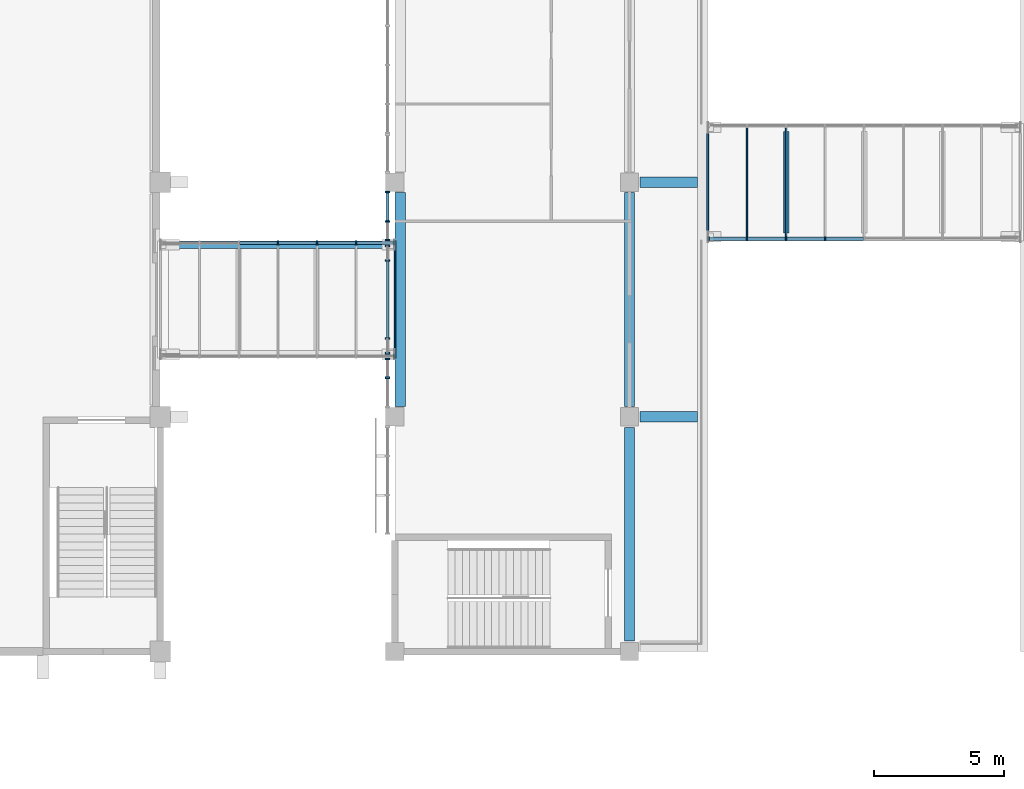
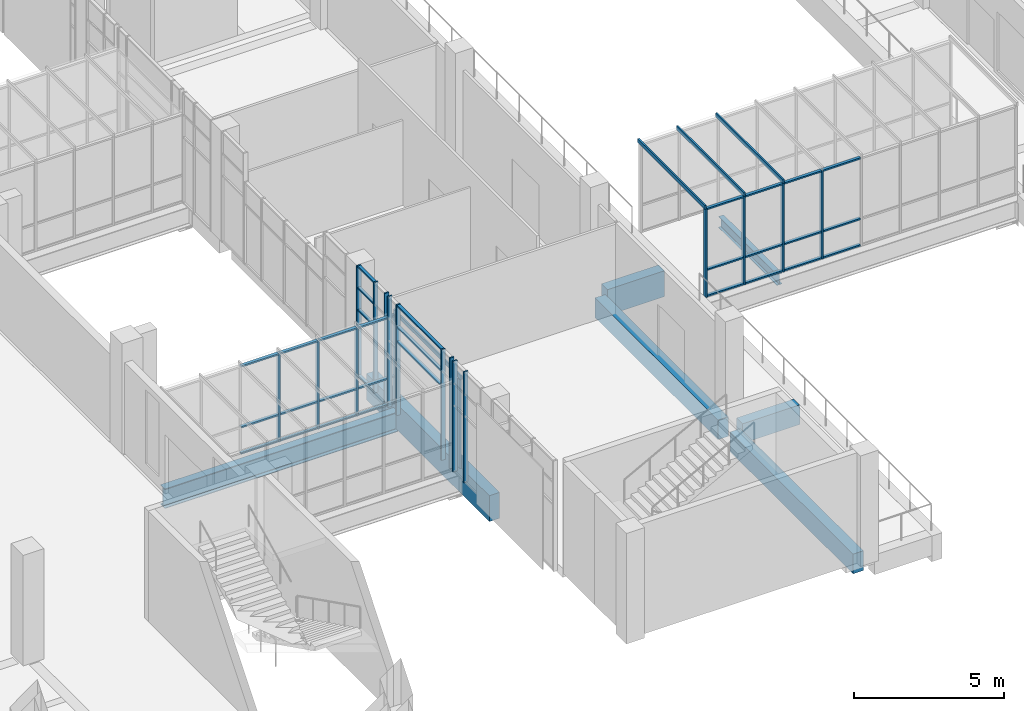
# One storey, part 10 of 106: 53 members, 7 beams, 8 elements without a shape of their own.
"""IFC4 building model written with IfcOpenShell, lengths in metres."""

from ifc_helpers import new_model, si_unit, direction, frame, origin, origin_2d, place, context, subcontext, project, spatial, rectangle, i_section, extrude, material, layer, layer_set, material_profile, profile_set, type_object, element, aggregate, save


model = new_model("IFC4")

# Units and contexts
model_context = context("Model", 3, precision=1e-05, world=origin(), true_north=direction((0.0, 1.0)))
body_context = subcontext(model_context, "Body", "Model", "MODEL_VIEW")
ifc_project = project(units=[si_unit("LENGTHUNIT", "METRE"), si_unit("AREAUNIT", "SQUARE_METRE"), si_unit("VOLUMEUNIT", "CUBIC_METRE"), si_unit("PLANEANGLEUNIT", "RADIAN"), si_unit("MASSUNIT", "GRAM", prefix="KILO")], contexts=[model_context])

# Site, building, storey
site_placement = place(None, origin())
site = spatial("IfcSite", under=ifc_project, at=site_placement, CompositionType="ELEMENT")
building_placement = place(site_placement, origin())
building = spatial("IfcBuilding", under=site, at=building_placement, Name="Guidao Yard Department Store", CompositionType="ELEMENT")
storey_placement = place(building_placement, frame((0.0, 0.0, 10.5)))
storey = spatial("IfcBuildingStorey", under=building, at=storey_placement, Name="L02", CompositionType="ELEMENT", Elevation=10.5)

# Beams
ifc_material_1 = material(Name="Concrete C40", Category="concrete")
ifc_material_profile_1 = material_profile(ifc_material_1, rectangle(XDim=0.39990234375, YDim=1.050048828125, at=origin_2d()), Name="Bridge landing beam 400 x 1050 C40")
ifc_profile_set_1 = profile_set([ifc_material_profile_1], Name="Concrete C40")
beam_type_1 = type_object("IfcBeamType", Name="Bridge landing beam 400 x 1050 C40", PredefinedType="BEAM", material=ifc_profile_set_1)
beam_1_placement = place(storey_placement, frame((72.199951171875, 54.39990234375, -0.52490234375), z_axis=(0.0, 1.0, 0.0), x_axis=(-1.0, 0.0, 0.0)))
element("IfcBeam", 1, at=beam_1_placement, inside=storey, type_object=beam_type_1, Name="Beam LB03", PredefinedType="BEAM", context=body_context, shape_type="SweptSolid", body=[
    extrude(rectangle(XDim=0.39990234375, YDim=1.050048828125, at=origin_2d()), origin(), (0.0, 0.0, 1.0), 8.2001953125),
])
beam_2_placement = place(storey_placement, frame((81.39990234375, 63.0, -0.52490234375), z_axis=(1.0, 0.0, 0.0), x_axis=(0.0, 1.0, 0.0)))
element("IfcBeam", 2, at=beam_2_placement, inside=storey, type_object=beam_type_1, Name="Beam LB05", PredefinedType="BEAM", context=body_context, shape_type="SweptSolid", body=[
    extrude(rectangle(XDim=0.39990234375, YDim=1.050048828125, at=origin_2d()), origin(), (0.0, 0.0, 1.0), 2.2001953125),
])
ifc_material_2 = material(Name="Concrete C40", Category="concrete")
ifc_material_profile_2 = material_profile(ifc_material_2, rectangle(XDim=0.39990234375, YDim=0.800048828125, at=origin_2d()), Name="Edge beam 400 x 800 C40")
ifc_profile_set_2 = profile_set([ifc_material_profile_2], Name="Concrete C40")
beam_type_2 = type_object("IfcBeamType", Name="Edge beam 400 x 800 C40", PredefinedType="BEAM", material=ifc_profile_set_2)
for number, where, z_axis, x_axis, name in (
    (3, (81.0, 45.39990234375, -0.39990234375), (0.0, 1.0, 0.0), (-1.0, 0.0, 0.0), "Beam EB32"),
    (4, (81.0, 54.39990234375, -0.39990234375), (0.0, 1.0, 0.0), (-1.0, 0.0, 0.0), "Beam EB33"),
):
    element("IfcBeam", number, at=place(storey_placement, frame(where, z_axis=z_axis, x_axis=x_axis)), inside=storey, type_object=beam_type_2, Name=name, PredefinedType="BEAM", context=body_context, shape_type="SweptSolid", body=[
        extrude(rectangle(XDim=0.39990234375, YDim=0.800048828125, at=origin_2d()), origin(), (0.0, 0.0, 1.0), 8.2001953125),
    ])
beam_3_placement = place(storey_placement, frame((81.39990234375, 54.0, -0.39990234375), z_axis=(1.0, 0.0, 0.0), x_axis=(0.0, 1.0, 0.0)))
element("IfcBeam", 5, at=beam_3_placement, inside=storey, type_object=beam_type_2, Name="Beam EB40", PredefinedType="BEAM", context=body_context, shape_type="SweptSolid", body=[
    extrude(rectangle(XDim=0.39990234375, YDim=0.800048828125, at=origin_2d()), origin(), (0.0, 0.0, 1.0), 2.2001953125),
])
ifc_material_3 = material(Name="Steel Q355B", Category="steel")
ifc_material_profile_3 = material_profile(ifc_material_3, i_section(OverallWidth=0.199951171875, OverallDepth=0.449951171875, WebThickness=0.009033203125, FlangeThickness=0.013916015625, FilletRadius=0.012939453125, at=origin_2d()), Name="HN 450x200x9x14")
ifc_profile_set_3 = profile_set([ifc_material_profile_3], Name="Steel Q355B")
beam_type_3 = type_object("IfcBeamType", Name="HN 450x200x9x14", PredefinedType="BEAM", material=ifc_profile_set_3)
beam_4_placement = place(storey_placement, frame((87.007568359375, 61.050048828125, -0.47509765625), z_axis=(0.0, 1.0, 0.0), x_axis=(-1.0, 0.0, 0.0)))
element("IfcBeam", 6, at=beam_4_placement, inside=storey, type_object=beam_type_3, Name="Bridge cross beam BR11-1", PredefinedType="BEAM", context=body_context, shape_type="SweptSolid", body=[
    extrude(i_section(OverallWidth=0.199951171875, OverallDepth=0.449951171875, WebThickness=0.009033203125, FlangeThickness=0.013916015625, FilletRadius=0.012939453125, at=origin_2d()), origin(), (0.0, 0.0, 1.0), 3.89990234375),
])
ifc_material_4 = material(Name="Steel Q355B", Category="steel")
ifc_material_profile_4 = material_profile(ifc_material_4, i_section(OverallWidth=0.300048828125, OverallDepth=0.800048828125, WebThickness=0.013916015625, FlangeThickness=0.02587890625, FilletRadius=0.01806640625, at=origin_2d()), Name="HN 800x300x14x26")
ifc_profile_set_4 = profile_set([ifc_material_profile_4], Name="Steel Q355B")
beam_type_4 = type_object("IfcBeamType", Name="HN 800x300x14x26", PredefinedType="BEAM", material=ifc_profile_set_4)
beam_5_placement = place(storey_placement, frame((63.014892578125, 60.60009765625, -0.64990234375), z_axis=(1.0, 0.0, 0.0), x_axis=(0.0, 1.0, 0.0)))
element("IfcBeam", 7, at=beam_5_placement, inside=storey, type_object=beam_type_4, Name="Bridge girder BR03N", PredefinedType="BEAM", context=body_context, shape_type="SweptSolid", body=[
    extrude(i_section(OverallWidth=0.300048828125, OverallDepth=0.800048828125, WebThickness=0.013916015625, FlangeThickness=0.02587890625, FilletRadius=0.01806640625, at=origin_2d()), origin(), (0.0, 0.0, 1.0), 8.97021484375),
])

# Curtain wall, members
ifc_material_5 = material(Name="Aluminium and glass", Category="aluminium")
ifc_layer_1 = layer(ifc_material_5, 0.159912109375)
ifc_layer_set_1 = layer_set([ifc_layer_1], Name="Shopfront curtain wall CW1 1500 module")
curtain_wall_type_1 = type_object("IfcCurtainWallType", Name="Shopfront curtain wall CW1 1500 module", PredefinedType="NOTDEFINED", material=ifc_layer_set_1)
curtain_wall_1_placement = place(storey_placement, origin())
curtain_wall_1 = element("IfcCurtainWall", 8, at=curtain_wall_1_placement, inside=storey, type_object=curtain_wall_type_1, Name="Arcade shop front", PredefinedType="NOTDEFINED")
ifc_material_6 = material(Name="Aluminium 6063-T5", Category="aluminium")
ifc_material_profile_5 = material_profile(ifc_material_6, rectangle(XDim=0.06005859375, YDim=0.159912109375, at=origin_2d()), Name="Mullion M1 60 x 160 aluminium pressure plate")
ifc_profile_set_5 = profile_set([ifc_material_profile_5], Name="Aluminium 6063-T5")
member_type_1 = type_object("IfcMemberType", Name="Mullion M1 60 x 160 aluminium pressure plate", PredefinedType="MULLION", material=ifc_profile_set_5)
member_1_placement = place(storey_placement, frame((71.719970703125, 55.5, 0.0), z_axis=(0.0, 0.0, 1.0), x_axis=(0.0, 1.0, 0.0)))
member_1 = element("IfcMember", 9, at=member_1_placement, type_object=member_type_1, Name="CW-AS-L02-02 mullion 2", PredefinedType="MULLION", context=body_context, shape_type="SweptSolid", body=[
    extrude(rectangle(XDim=0.06005859375, YDim=0.159912109375, at=origin_2d()), origin(), (0.0, 0.0, 1.0), 4.5),
])
member_2_placement = place(storey_placement, frame((71.719970703125, 56.219970703125, 0.0), z_axis=(0.0, 0.0, 1.0), x_axis=(0.0, 1.0, 0.0)))
member_2 = element("IfcMember", 10, at=member_2_placement, type_object=member_type_1, Name="CW-AS-L02-02 mullion 3", PredefinedType="MULLION", context=body_context, shape_type="SweptSolid", body=[
    extrude(rectangle(XDim=0.06005859375, YDim=0.159912109375, at=origin_2d()), origin(), (0.0, 0.0, 1.0), 4.5),
])
aggregate(curtain_wall_1, [member_1, member_2])

curtain_wall_2_placement = place(storey_placement, origin())
curtain_wall_2 = element("IfcCurtainWall", 11, at=curtain_wall_2_placement, inside=storey, type_object=curtain_wall_type_1, Name="Arcade shop front", PredefinedType="NOTDEFINED")
member_3_placement = place(storey_placement, frame((71.719970703125, 56.43994140625, 0.0), z_axis=(0.0, 0.0, 1.0), x_axis=(0.0, 1.0, 0.0)))
member_3 = element("IfcMember", 12, at=member_3_placement, type_object=member_type_1, Name="CW-AS-L02-03 mullion 1", PredefinedType="MULLION", context=body_context, shape_type="SweptSolid", body=[
    extrude(rectangle(XDim=0.06005859375, YDim=0.159912109375, at=origin_2d()), origin(), (0.0, 0.0, 1.0), 4.5),
])
member_4_placement = place(storey_placement, frame((71.719970703125, 57.0, 0.0), z_axis=(0.0, 0.0, 1.0), x_axis=(0.0, 1.0, 0.0)))
member_4 = element("IfcMember", 13, at=member_4_placement, type_object=member_type_1, Name="CW-AS-L02-03 mullion 2", PredefinedType="MULLION", context=body_context, shape_type="SweptSolid", body=[
    extrude(rectangle(XDim=0.06005859375, YDim=0.159912109375, at=origin_2d()), origin(), (0.0, 0.0, 1.0), 4.5),
])
member_5_placement = place(storey_placement, frame((71.719970703125, 60.0, 0.0), z_axis=(0.0, 0.0, 1.0), x_axis=(0.0, 1.0, 0.0)))
member_5 = element("IfcMember", 14, at=member_5_placement, type_object=member_type_1, Name="CW-AS-L02-03 mullion 3", PredefinedType="MULLION", context=body_context, shape_type="SweptSolid", body=[
    extrude(rectangle(XDim=0.06005859375, YDim=0.159912109375, at=origin_2d()), origin(), (0.0, 0.0, 1.0), 4.5),
])
member_6_placement = place(storey_placement, frame((71.719970703125, 60.56005859375, 0.0), z_axis=(0.0, 0.0, 1.0), x_axis=(0.0, 1.0, 0.0)))
member_6 = element("IfcMember", 15, at=member_6_placement, type_object=member_type_1, Name="CW-AS-L02-03 mullion 4", PredefinedType="MULLION", context=body_context, shape_type="SweptSolid", body=[
    extrude(rectangle(XDim=0.06005859375, YDim=0.159912109375, at=origin_2d()), origin(), (0.0, 0.0, 1.0), 4.5),
])

curtain_wall_3_placement = place(storey_placement, origin())
curtain_wall_3 = element("IfcCurtainWall", 16, at=curtain_wall_3_placement, inside=storey, type_object=curtain_wall_type_1, Name="Arcade shop front", PredefinedType="NOTDEFINED")
member_7_placement = place(storey_placement, frame((71.719970703125, 60.780029296875, 0.0), z_axis=(0.0, 0.0, 1.0), x_axis=(0.0, 1.0, 0.0)))
member_7 = element("IfcMember", 17, at=member_7_placement, type_object=member_type_1, Name="CW-AS-L02-04 mullion 1", PredefinedType="MULLION", context=body_context, shape_type="SweptSolid", body=[
    extrude(rectangle(XDim=0.06005859375, YDim=0.159912109375, at=origin_2d()), origin(), (0.0, 0.0, 1.0), 4.5),
])
member_8_placement = place(storey_placement, frame((71.719970703125, 61.5, 0.0), z_axis=(0.0, 0.0, 1.0), x_axis=(0.0, 1.0, 0.0)))
member_8 = element("IfcMember", 18, at=member_8_placement, type_object=member_type_1, Name="CW-AS-L02-04 mullion 2", PredefinedType="MULLION", context=body_context, shape_type="SweptSolid", body=[
    extrude(rectangle(XDim=0.06005859375, YDim=0.159912109375, at=origin_2d()), origin(), (0.0, 0.0, 1.0), 4.5),
])
member_9_placement = place(storey_placement, frame((71.719970703125, 62.6201171875, 0.0), z_axis=(0.0, 0.0, 1.0), x_axis=(0.0, 1.0, 0.0)))
member_9 = element("IfcMember", 19, at=member_9_placement, type_object=member_type_1, Name="CW-AS-L02-04 mullion 3", PredefinedType="MULLION", context=body_context, shape_type="SweptSolid", body=[
    extrude(rectangle(XDim=0.06005859375, YDim=0.159912109375, at=origin_2d()), origin(), (0.0, 0.0, 1.0), 4.5),
])

# Curtain wall, member
ifc_material_7 = material(Name="Aluminium and glass", Category="aluminium")
ifc_layer_2 = layer(ifc_material_7, 0.159912109375)
ifc_layer_set_2 = layer_set([ifc_layer_2], Name="Bridge glazing CW5 1500 module")
curtain_wall_type_2 = type_object("IfcCurtainWallType", Name="Bridge glazing CW5 1500 module", PredefinedType="NOTDEFINED", material=ifc_layer_set_2)
curtain_wall_4_placement = place(storey_placement, origin())
curtain_wall_4 = element("IfcCurtainWall", 20, at=curtain_wall_4_placement, inside=storey, type_object=curtain_wall_type_2, Name="Bridge glazing BR03 S", PredefinedType="NOTDEFINED")
member_10_placement = place(storey_placement, frame((71.969970703125, 56.330078125, 0.0), z_axis=(0.0, 0.0, 1.0), x_axis=(-1.0, 0.0, 0.0)))
member_10 = element("IfcMember", 21, at=member_10_placement, type_object=member_type_1, Name="CW-S-L02-01 mullion 7", PredefinedType="MULLION", context=body_context, shape_type="SweptSolid", body=[
    extrude(rectangle(XDim=0.06005859375, YDim=0.159912109375, at=origin_2d()), origin(), (0.0, 0.0, 1.0), 3.60009765625),
])
aggregate(curtain_wall_4, [member_10])

# Curtain wall, members
curtain_wall_5_placement = place(storey_placement, origin())
curtain_wall_5 = element("IfcCurtainWall", 22, at=curtain_wall_5_placement, inside=storey, type_object=curtain_wall_type_2, Name="Bridge glazing BR03 N", PredefinedType="NOTDEFINED")
member_11_placement = place(storey_placement, frame((67.514892578125, 60.669921875, 0.0), z_axis=(0.0, 0.0, 1.0), x_axis=(1.0, 0.0, 0.0)))
member_11 = element("IfcMember", 23, at=member_11_placement, type_object=member_type_1, Name="CW-N-L02-02 mullion 4", PredefinedType="MULLION", context=body_context, shape_type="SweptSolid", body=[
    extrude(rectangle(XDim=0.06005859375, YDim=0.159912109375, at=origin_2d()), origin(), (0.0, 0.0, 1.0), 3.60009765625),
])
member_12_placement = place(storey_placement, frame((69.014892578125, 60.669921875, 0.0), z_axis=(0.0, 0.0, 1.0), x_axis=(1.0, 0.0, 0.0)))
member_12 = element("IfcMember", 24, at=member_12_placement, type_object=member_type_1, Name="CW-N-L02-02 mullion 5", PredefinedType="MULLION", context=body_context, shape_type="SweptSolid", body=[
    extrude(rectangle(XDim=0.06005859375, YDim=0.159912109375, at=origin_2d()), origin(), (0.0, 0.0, 1.0), 3.60009765625),
])
member_13_placement = place(storey_placement, frame((70.514892578125, 60.669921875, 0.0), z_axis=(0.0, 0.0, 1.0), x_axis=(1.0, 0.0, 0.0)))
member_13 = element("IfcMember", 25, at=member_13_placement, type_object=member_type_1, Name="CW-N-L02-02 mullion 6", PredefinedType="MULLION", context=body_context, shape_type="SweptSolid", body=[
    extrude(rectangle(XDim=0.06005859375, YDim=0.159912109375, at=origin_2d()), origin(), (0.0, 0.0, 1.0), 3.60009765625),
])
member_14_placement = place(storey_placement, frame((71.969970703125, 60.669921875, 0.0), z_axis=(0.0, 0.0, 1.0), x_axis=(1.0, 0.0, 0.0)))
member_14 = element("IfcMember", 26, at=member_14_placement, type_object=member_type_1, Name="CW-N-L02-02 mullion 7", PredefinedType="MULLION", context=body_context, shape_type="SweptSolid", body=[
    extrude(rectangle(XDim=0.06005859375, YDim=0.159912109375, at=origin_2d()), origin(), (0.0, 0.0, 1.0), 3.60009765625),
])

curtain_wall_6_placement = place(storey_placement, origin())
curtain_wall_6 = element("IfcCurtainWall", 27, at=curtain_wall_6_placement, inside=storey, type_object=curtain_wall_type_2, Name="Bridge glazing BR11 S", PredefinedType="NOTDEFINED")
member_15_placement = place(storey_placement, frame((84.030029296875, 60.830078125, 0.0), z_axis=(0.0, 0.0, 1.0), x_axis=(-1.0, 0.0, 0.0)))
member_15 = element("IfcMember", 28, at=member_15_placement, type_object=member_type_1, Name="CW-S-L02-08 mullion 1", PredefinedType="MULLION", context=body_context, shape_type="SweptSolid", body=[
    extrude(rectangle(XDim=0.06005859375, YDim=0.159912109375, at=origin_2d()), origin(), (0.0, 0.0, 1.0), 3.60009765625),
])
member_16_placement = place(storey_placement, frame((85.5, 60.830078125, 0.0), z_axis=(0.0, 0.0, 1.0), x_axis=(-1.0, 0.0, 0.0)))
member_16 = element("IfcMember", 29, at=member_16_placement, type_object=member_type_1, Name="CW-S-L02-08 mullion 2", PredefinedType="MULLION", context=body_context, shape_type="SweptSolid", body=[
    extrude(rectangle(XDim=0.06005859375, YDim=0.159912109375, at=origin_2d()), origin(), (0.0, 0.0, 1.0), 3.60009765625),
])
member_17_placement = place(storey_placement, frame((87.0, 60.830078125, 0.0), z_axis=(0.0, 0.0, 1.0), x_axis=(-1.0, 0.0, 0.0)))
member_17 = element("IfcMember", 30, at=member_17_placement, type_object=member_type_1, Name="CW-S-L02-08 mullion 3", PredefinedType="MULLION", context=body_context, shape_type="SweptSolid", body=[
    extrude(rectangle(XDim=0.06005859375, YDim=0.159912109375, at=origin_2d()), origin(), (0.0, 0.0, 1.0), 3.60009765625),
])
member_18_placement = place(storey_placement, frame((88.5, 60.830078125, 0.0), z_axis=(0.0, 0.0, 1.0), x_axis=(-1.0, 0.0, 0.0)))
member_18 = element("IfcMember", 31, at=member_18_placement, type_object=member_type_1, Name="CW-S-L02-08 mullion 4", PredefinedType="MULLION", context=body_context, shape_type="SweptSolid", body=[
    extrude(rectangle(XDim=0.06005859375, YDim=0.159912109375, at=origin_2d()), origin(), (0.0, 0.0, 1.0), 3.60009765625),
])

# Curtain wall, member
curtain_wall_7_placement = place(storey_placement, origin())
curtain_wall_7 = element("IfcCurtainWall", 32, at=curtain_wall_7_placement, inside=storey, type_object=curtain_wall_type_2, Name="Bridge roof glazing BR03", PredefinedType="NOTDEFINED")
ifc_material_8 = material(Name="Aluminium 6063-T5", Category="aluminium")
ifc_material_profile_6 = material_profile(ifc_material_8, rectangle(XDim=0.06005859375, YDim=0.159912109375, at=origin_2d()), Name="Roof bar RB1 60 x 160 aluminium")
ifc_profile_set_6 = profile_set([ifc_material_profile_6], Name="Aluminium 6063-T5")
member_type_2 = type_object("IfcMemberType", Name="Roof bar RB1 60 x 160 aluminium", PredefinedType="USERDEFINED", material=ifc_profile_set_6)
member_19_placement = place(storey_placement, frame((72.0, 56.25, 3.679931640625), z_axis=(0.0, 1.0, 0.0), x_axis=(-1.0, 0.0, 0.0)))
member_19 = element("IfcMember", 33, at=member_19_placement, type_object=member_type_2, Name="Bridge roof bar BR03", ObjectType="TRANSOM", PredefinedType="USERDEFINED", context=body_context, shape_type="SweptSolid", body=[
    extrude(rectangle(XDim=0.06005859375, YDim=0.159912109375, at=origin_2d()), origin(), (0.0, 0.0, 1.0), 4.5),
])
aggregate(curtain_wall_7, [member_19])

# Curtain wall, members
curtain_wall_8_placement = place(storey_placement, origin())
curtain_wall_8 = element("IfcCurtainWall", 34, at=curtain_wall_8_placement, inside=storey, type_object=curtain_wall_type_2, Name="Bridge roof glazing BR11", PredefinedType="NOTDEFINED")
member_20_placement = place(storey_placement, frame((84.0, 60.75, 3.679931640625), z_axis=(0.0, 1.0, 0.0), x_axis=(-1.0, 0.0, 0.0)))
member_20 = element("IfcMember", 35, at=member_20_placement, type_object=member_type_2, Name="Bridge roof bar BR11", ObjectType="TRANSOM", PredefinedType="USERDEFINED", context=body_context, shape_type="SweptSolid", body=[
    extrude(rectangle(XDim=0.06005859375, YDim=0.159912109375, at=origin_2d()), origin(), (0.0, 0.0, 1.0), 4.5),
])
member_21_placement = place(storey_placement, frame((85.5, 60.75, 3.679931640625), z_axis=(0.0, 1.0, 0.0), x_axis=(-1.0, 0.0, 0.0)))
member_21 = element("IfcMember", 36, at=member_21_placement, type_object=member_type_2, Name="Bridge roof bar BR11", ObjectType="TRANSOM", PredefinedType="USERDEFINED", context=body_context, shape_type="SweptSolid", body=[
    extrude(rectangle(XDim=0.06005859375, YDim=0.159912109375, at=origin_2d()), origin(), (0.0, 0.0, 1.0), 4.5),
])
member_22_placement = place(storey_placement, frame((87.0, 60.75, 3.679931640625), z_axis=(0.0, 1.0, 0.0), x_axis=(-1.0, 0.0, 0.0)))
member_22 = element("IfcMember", 37, at=member_22_placement, type_object=member_type_2, Name="Bridge roof bar BR11", ObjectType="TRANSOM", PredefinedType="USERDEFINED", context=body_context, shape_type="SweptSolid", body=[
    extrude(rectangle(XDim=0.06005859375, YDim=0.159912109375, at=origin_2d()), origin(), (0.0, 0.0, 1.0), 4.5),
])
aggregate(curtain_wall_8, [member_20, member_21, member_22])

# Member
ifc_material_9 = material(Name="Aluminium 6063-T5", Category="aluminium")
ifc_material_profile_7 = material_profile(ifc_material_9, rectangle(XDim=0.1201171875, YDim=0.06005859375, at=origin_2d()), Name="Transom T1 60 x 120 aluminium pressure plate")
ifc_profile_set_7 = profile_set([ifc_material_profile_7], Name="Aluminium 6063-T5")
member_type_3 = type_object("IfcMemberType", Name="Transom T1 60 x 120 aluminium pressure plate", PredefinedType="USERDEFINED", material=ifc_profile_set_7)
member_23_placement = place(storey_placement, frame((71.719970703125, 57.030029296875, 3.0), z_axis=(0.0, 1.0, 0.0), x_axis=(-1.0, 0.0, 0.0)))
member_23 = element("IfcMember", 38, at=member_23_placement, type_object=member_type_3, Name="CW-AS-L02-03 transom 2.2", ObjectType="TRANSOM", PredefinedType="USERDEFINED", context=body_context, shape_type="SweptSolid", body=[
    extrude(rectangle(XDim=0.1201171875, YDim=0.06005859375, at=origin_2d()), origin(), (0.0, 0.0, 1.0), 2.93994140625),
])

member_24_placement = place(storey_placement, frame((71.719970703125, 57.030029296875, 3.60009765625), z_axis=(0.0, 1.0, 0.0), x_axis=(-1.0, 0.0, 0.0)))
member_24 = element("IfcMember", 39, at=member_24_placement, type_object=member_type_3, Name="CW-AS-L02-03 transom 2.3", ObjectType="TRANSOM", PredefinedType="USERDEFINED", context=body_context, shape_type="SweptSolid", body=[
    extrude(rectangle(XDim=0.1201171875, YDim=0.06005859375, at=origin_2d()), origin(), (0.0, 0.0, 1.0), 2.93994140625),
])

member_25_placement = place(storey_placement, frame((71.719970703125, 57.030029296875, 4.469970703125), z_axis=(0.0, 1.0, 0.0), x_axis=(-1.0, 0.0, 0.0)))
member_25 = element("IfcMember", 40, at=member_25_placement, type_object=member_type_3, Name="CW-AS-L02-03 transom 2.4", ObjectType="TRANSOM", PredefinedType="USERDEFINED", context=body_context, shape_type="SweptSolid", body=[
    extrude(rectangle(XDim=0.1201171875, YDim=0.06005859375, at=origin_2d()), origin(), (0.0, 0.0, 1.0), 2.93994140625),
])

aggregate(curtain_wall_2, [member_3, member_4, member_5, member_6, member_23, member_24, member_25])

member_26_placement = place(storey_placement, frame((71.719970703125, 61.530029296875, 0.030029296875), z_axis=(0.0, 1.0, 0.0), x_axis=(-1.0, 0.0, 0.0)))
member_26 = element("IfcMember", 41, at=member_26_placement, type_object=member_type_3, Name="CW-AS-L02-04 transom 2.1", ObjectType="TRANSOM", PredefinedType="USERDEFINED", context=body_context, shape_type="SweptSolid", body=[
    extrude(rectangle(XDim=0.1201171875, YDim=0.06005859375, at=origin_2d()), origin(), (0.0, 0.0, 1.0), 1.06005859375),
])

member_27_placement = place(storey_placement, frame((71.719970703125, 61.530029296875, 2.699951171875), z_axis=(0.0, 1.0, 0.0), x_axis=(-1.0, 0.0, 0.0)))
member_27 = element("IfcMember", 42, at=member_27_placement, type_object=member_type_3, Name="CW-AS-L02-04 transom 2.2", ObjectType="TRANSOM", PredefinedType="USERDEFINED", context=body_context, shape_type="SweptSolid", body=[
    extrude(rectangle(XDim=0.1201171875, YDim=0.06005859375, at=origin_2d()), origin(), (0.0, 0.0, 1.0), 1.06005859375),
])

member_28_placement = place(storey_placement, frame((71.719970703125, 61.530029296875, 3.60009765625), z_axis=(0.0, 1.0, 0.0), x_axis=(-1.0, 0.0, 0.0)))
member_28 = element("IfcMember", 43, at=member_28_placement, type_object=member_type_3, Name="CW-AS-L02-04 transom 2.3", ObjectType="TRANSOM", PredefinedType="USERDEFINED", context=body_context, shape_type="SweptSolid", body=[
    extrude(rectangle(XDim=0.1201171875, YDim=0.06005859375, at=origin_2d()), origin(), (0.0, 0.0, 1.0), 1.06005859375),
])

member_29_placement = place(storey_placement, frame((71.719970703125, 61.530029296875, 4.469970703125), z_axis=(0.0, 1.0, 0.0), x_axis=(-1.0, 0.0, 0.0)))
member_29 = element("IfcMember", 44, at=member_29_placement, type_object=member_type_3, Name="CW-AS-L02-04 transom 2.4", ObjectType="TRANSOM", PredefinedType="USERDEFINED", context=body_context, shape_type="SweptSolid", body=[
    extrude(rectangle(XDim=0.1201171875, YDim=0.06005859375, at=origin_2d()), origin(), (0.0, 0.0, 1.0), 1.06005859375),
])

aggregate(curtain_wall_3, [member_7, member_8, member_9, member_26, member_27, member_28, member_29])

member_30_placement = place(storey_placement, frame((66.044921875, 60.669921875, 0.030029296875), z_axis=(1.0, 0.0, 0.0), x_axis=(0.0, 1.0, 0.0)))
member_30 = element("IfcMember", 45, at=member_30_placement, type_object=member_type_3, Name="CW-N-L02-02 transom 3.1", ObjectType="TRANSOM", PredefinedType="USERDEFINED", context=body_context, shape_type="SweptSolid", body=[
    extrude(rectangle(XDim=0.1201171875, YDim=0.06005859375, at=origin_2d()), origin(), (0.0, 0.0, 1.0), 1.440185546875),
])

member_31_placement = place(storey_placement, frame((66.044921875, 60.669921875, 1.10009765625), z_axis=(1.0, 0.0, 0.0), x_axis=(0.0, 1.0, 0.0)))
member_31 = element("IfcMember", 46, at=member_31_placement, type_object=member_type_3, Name="CW-N-L02-02 transom 3.2", ObjectType="TRANSOM", PredefinedType="USERDEFINED", context=body_context, shape_type="SweptSolid", body=[
    extrude(rectangle(XDim=0.1201171875, YDim=0.06005859375, at=origin_2d()), origin(), (0.0, 0.0, 1.0), 1.440185546875),
])

member_32_placement = place(storey_placement, frame((66.044921875, 60.669921875, 3.570068359375), z_axis=(1.0, 0.0, 0.0), x_axis=(0.0, 1.0, 0.0)))
member_32 = element("IfcMember", 47, at=member_32_placement, type_object=member_type_3, Name="CW-N-L02-02 transom 3.3", ObjectType="TRANSOM", PredefinedType="USERDEFINED", context=body_context, shape_type="SweptSolid", body=[
    extrude(rectangle(XDim=0.1201171875, YDim=0.06005859375, at=origin_2d()), origin(), (0.0, 0.0, 1.0), 1.440185546875),
])

member_33_placement = place(storey_placement, frame((67.544921875, 60.669921875, 0.030029296875), z_axis=(1.0, 0.0, 0.0), x_axis=(0.0, 1.0, 0.0)))
member_33 = element("IfcMember", 48, at=member_33_placement, type_object=member_type_3, Name="CW-N-L02-02 transom 4.1", ObjectType="TRANSOM", PredefinedType="USERDEFINED", context=body_context, shape_type="SweptSolid", body=[
    extrude(rectangle(XDim=0.1201171875, YDim=0.06005859375, at=origin_2d()), origin(), (0.0, 0.0, 1.0), 1.440185546875),
])

member_34_placement = place(storey_placement, frame((67.544921875, 60.669921875, 1.10009765625), z_axis=(1.0, 0.0, 0.0), x_axis=(0.0, 1.0, 0.0)))
member_34 = element("IfcMember", 49, at=member_34_placement, type_object=member_type_3, Name="CW-N-L02-02 transom 4.2", ObjectType="TRANSOM", PredefinedType="USERDEFINED", context=body_context, shape_type="SweptSolid", body=[
    extrude(rectangle(XDim=0.1201171875, YDim=0.06005859375, at=origin_2d()), origin(), (0.0, 0.0, 1.0), 1.440185546875),
])

member_35_placement = place(storey_placement, frame((67.544921875, 60.669921875, 3.570068359375), z_axis=(1.0, 0.0, 0.0), x_axis=(0.0, 1.0, 0.0)))
member_35 = element("IfcMember", 50, at=member_35_placement, type_object=member_type_3, Name="CW-N-L02-02 transom 4.3", ObjectType="TRANSOM", PredefinedType="USERDEFINED", context=body_context, shape_type="SweptSolid", body=[
    extrude(rectangle(XDim=0.1201171875, YDim=0.06005859375, at=origin_2d()), origin(), (0.0, 0.0, 1.0), 1.440185546875),
])

member_36_placement = place(storey_placement, frame((69.044921875, 60.669921875, 0.030029296875), z_axis=(1.0, 0.0, 0.0), x_axis=(0.0, 1.0, 0.0)))
member_36 = element("IfcMember", 51, at=member_36_placement, type_object=member_type_3, Name="CW-N-L02-02 transom 5.1", ObjectType="TRANSOM", PredefinedType="USERDEFINED", context=body_context, shape_type="SweptSolid", body=[
    extrude(rectangle(XDim=0.1201171875, YDim=0.06005859375, at=origin_2d()), origin(), (0.0, 0.0, 1.0), 1.440185546875),
])

member_37_placement = place(storey_placement, frame((69.044921875, 60.669921875, 1.10009765625), z_axis=(1.0, 0.0, 0.0), x_axis=(0.0, 1.0, 0.0)))
member_37 = element("IfcMember", 52, at=member_37_placement, type_object=member_type_3, Name="CW-N-L02-02 transom 5.2", ObjectType="TRANSOM", PredefinedType="USERDEFINED", context=body_context, shape_type="SweptSolid", body=[
    extrude(rectangle(XDim=0.1201171875, YDim=0.06005859375, at=origin_2d()), origin(), (0.0, 0.0, 1.0), 1.440185546875),
])

member_38_placement = place(storey_placement, frame((69.044921875, 60.669921875, 3.570068359375), z_axis=(1.0, 0.0, 0.0), x_axis=(0.0, 1.0, 0.0)))
member_38 = element("IfcMember", 53, at=member_38_placement, type_object=member_type_3, Name="CW-N-L02-02 transom 5.3", ObjectType="TRANSOM", PredefinedType="USERDEFINED", context=body_context, shape_type="SweptSolid", body=[
    extrude(rectangle(XDim=0.1201171875, YDim=0.06005859375, at=origin_2d()), origin(), (0.0, 0.0, 1.0), 1.440185546875),
])

member_39_placement = place(storey_placement, frame((70.544921875, 60.669921875, 0.030029296875), z_axis=(1.0, 0.0, 0.0), x_axis=(0.0, 1.0, 0.0)))
member_39 = element("IfcMember", 54, at=member_39_placement, type_object=member_type_3, Name="CW-N-L02-02 transom 6.1", ObjectType="TRANSOM", PredefinedType="USERDEFINED", context=body_context, shape_type="SweptSolid", body=[
    extrude(rectangle(XDim=0.1201171875, YDim=0.06005859375, at=origin_2d()), origin(), (0.0, 0.0, 1.0), 1.39501953125),
])

member_40_placement = place(storey_placement, frame((70.544921875, 60.669921875, 1.10009765625), z_axis=(1.0, 0.0, 0.0), x_axis=(0.0, 1.0, 0.0)))
member_40 = element("IfcMember", 55, at=member_40_placement, type_object=member_type_3, Name="CW-N-L02-02 transom 6.2", ObjectType="TRANSOM", PredefinedType="USERDEFINED", context=body_context, shape_type="SweptSolid", body=[
    extrude(rectangle(XDim=0.1201171875, YDim=0.06005859375, at=origin_2d()), origin(), (0.0, 0.0, 1.0), 1.39501953125),
])

member_41_placement = place(storey_placement, frame((70.544921875, 60.669921875, 3.570068359375), z_axis=(1.0, 0.0, 0.0), x_axis=(0.0, 1.0, 0.0)))
member_41 = element("IfcMember", 56, at=member_41_placement, type_object=member_type_3, Name="CW-N-L02-02 transom 6.3", ObjectType="TRANSOM", PredefinedType="USERDEFINED", context=body_context, shape_type="SweptSolid", body=[
    extrude(rectangle(XDim=0.1201171875, YDim=0.06005859375, at=origin_2d()), origin(), (0.0, 0.0, 1.0), 1.39501953125),
])

aggregate(curtain_wall_5, [member_11, member_12, member_13, member_14, member_30, member_31, member_32, member_33, member_34, member_35, member_36, member_37, member_38, member_39, member_40, member_41])

member_42_placement = place(storey_placement, frame((85.469970703125, 60.830078125, 0.030029296875), z_axis=(-1.0, 0.0, 0.0), x_axis=(0.0, -1.0, 0.0)))
member_42 = element("IfcMember", 57, at=member_42_placement, type_object=member_type_3, Name="CW-S-L02-08 transom 1.1", ObjectType="TRANSOM", PredefinedType="USERDEFINED", context=body_context, shape_type="SweptSolid", body=[
    extrude(rectangle(XDim=0.1201171875, YDim=0.06005859375, at=origin_2d()), origin(), (0.0, 0.0, 1.0), 1.409912109375),
])

member_43_placement = place(storey_placement, frame((85.469970703125, 60.830078125, 1.10009765625), z_axis=(-1.0, 0.0, 0.0), x_axis=(0.0, -1.0, 0.0)))
member_43 = element("IfcMember", 58, at=member_43_placement, type_object=member_type_3, Name="CW-S-L02-08 transom 1.2", ObjectType="TRANSOM", PredefinedType="USERDEFINED", context=body_context, shape_type="SweptSolid", body=[
    extrude(rectangle(XDim=0.1201171875, YDim=0.06005859375, at=origin_2d()), origin(), (0.0, 0.0, 1.0), 1.409912109375),
])

member_44_placement = place(storey_placement, frame((85.469970703125, 60.830078125, 3.570068359375), z_axis=(-1.0, 0.0, 0.0), x_axis=(0.0, -1.0, 0.0)))
member_44 = element("IfcMember", 59, at=member_44_placement, type_object=member_type_3, Name="CW-S-L02-08 transom 1.3", ObjectType="TRANSOM", PredefinedType="USERDEFINED", context=body_context, shape_type="SweptSolid", body=[
    extrude(rectangle(XDim=0.1201171875, YDim=0.06005859375, at=origin_2d()), origin(), (0.0, 0.0, 1.0), 1.409912109375),
])

member_45_placement = place(storey_placement, frame((86.969970703125, 60.830078125, 0.030029296875), z_axis=(-1.0, 0.0, 0.0), x_axis=(0.0, -1.0, 0.0)))
member_45 = element("IfcMember", 60, at=member_45_placement, type_object=member_type_3, Name="CW-S-L02-08 transom 2.1", ObjectType="TRANSOM", PredefinedType="USERDEFINED", context=body_context, shape_type="SweptSolid", body=[
    extrude(rectangle(XDim=0.1201171875, YDim=0.06005859375, at=origin_2d()), origin(), (0.0, 0.0, 1.0), 1.43994140625),
])

member_46_placement = place(storey_placement, frame((86.969970703125, 60.830078125, 1.10009765625), z_axis=(-1.0, 0.0, 0.0), x_axis=(0.0, -1.0, 0.0)))
member_46 = element("IfcMember", 61, at=member_46_placement, type_object=member_type_3, Name="CW-S-L02-08 transom 2.2", ObjectType="TRANSOM", PredefinedType="USERDEFINED", context=body_context, shape_type="SweptSolid", body=[
    extrude(rectangle(XDim=0.1201171875, YDim=0.06005859375, at=origin_2d()), origin(), (0.0, 0.0, 1.0), 1.43994140625),
])

member_47_placement = place(storey_placement, frame((86.969970703125, 60.830078125, 3.570068359375), z_axis=(-1.0, 0.0, 0.0), x_axis=(0.0, -1.0, 0.0)))
member_47 = element("IfcMember", 62, at=member_47_placement, type_object=member_type_3, Name="CW-S-L02-08 transom 2.3", ObjectType="TRANSOM", PredefinedType="USERDEFINED", context=body_context, shape_type="SweptSolid", body=[
    extrude(rectangle(XDim=0.1201171875, YDim=0.06005859375, at=origin_2d()), origin(), (0.0, 0.0, 1.0), 1.43994140625),
])

member_48_placement = place(storey_placement, frame((88.469970703125, 60.830078125, 0.030029296875), z_axis=(-1.0, 0.0, 0.0), x_axis=(0.0, -1.0, 0.0)))
member_48 = element("IfcMember", 63, at=member_48_placement, type_object=member_type_3, Name="CW-S-L02-08 transom 3.1", ObjectType="TRANSOM", PredefinedType="USERDEFINED", context=body_context, shape_type="SweptSolid", body=[
    extrude(rectangle(XDim=0.1201171875, YDim=0.06005859375, at=origin_2d()), origin(), (0.0, 0.0, 1.0), 1.43994140625),
])

member_49_placement = place(storey_placement, frame((88.469970703125, 60.830078125, 1.10009765625), z_axis=(-1.0, 0.0, 0.0), x_axis=(0.0, -1.0, 0.0)))
member_49 = element("IfcMember", 64, at=member_49_placement, type_object=member_type_3, Name="CW-S-L02-08 transom 3.2", ObjectType="TRANSOM", PredefinedType="USERDEFINED", context=body_context, shape_type="SweptSolid", body=[
    extrude(rectangle(XDim=0.1201171875, YDim=0.06005859375, at=origin_2d()), origin(), (0.0, 0.0, 1.0), 1.43994140625),
])

member_50_placement = place(storey_placement, frame((88.469970703125, 60.830078125, 3.570068359375), z_axis=(-1.0, 0.0, 0.0), x_axis=(0.0, -1.0, 0.0)))
member_50 = element("IfcMember", 65, at=member_50_placement, type_object=member_type_3, Name="CW-S-L02-08 transom 3.3", ObjectType="TRANSOM", PredefinedType="USERDEFINED", context=body_context, shape_type="SweptSolid", body=[
    extrude(rectangle(XDim=0.1201171875, YDim=0.06005859375, at=origin_2d()), origin(), (0.0, 0.0, 1.0), 1.43994140625),
])

member_51_placement = place(storey_placement, frame((89.969970703125, 60.830078125, 0.030029296875), z_axis=(-1.0, 0.0, 0.0), x_axis=(0.0, -1.0, 0.0)))
member_51 = element("IfcMember", 66, at=member_51_placement, type_object=member_type_3, Name="CW-S-L02-08 transom 4.1", ObjectType="TRANSOM", PredefinedType="USERDEFINED", context=body_context, shape_type="SweptSolid", body=[
    extrude(rectangle(XDim=0.1201171875, YDim=0.06005859375, at=origin_2d()), origin(), (0.0, 0.0, 1.0), 1.43994140625),
])

member_52_placement = place(storey_placement, frame((89.969970703125, 60.830078125, 1.10009765625), z_axis=(-1.0, 0.0, 0.0), x_axis=(0.0, -1.0, 0.0)))
member_52 = element("IfcMember", 67, at=member_52_placement, type_object=member_type_3, Name="CW-S-L02-08 transom 4.2", ObjectType="TRANSOM", PredefinedType="USERDEFINED", context=body_context, shape_type="SweptSolid", body=[
    extrude(rectangle(XDim=0.1201171875, YDim=0.06005859375, at=origin_2d()), origin(), (0.0, 0.0, 1.0), 1.43994140625),
])

member_53_placement = place(storey_placement, frame((89.969970703125, 60.830078125, 3.570068359375), z_axis=(-1.0, 0.0, 0.0), x_axis=(0.0, -1.0, 0.0)))
member_53 = element("IfcMember", 68, at=member_53_placement, type_object=member_type_3, Name="CW-S-L02-08 transom 4.3", ObjectType="TRANSOM", PredefinedType="USERDEFINED", context=body_context, shape_type="SweptSolid", body=[
    extrude(rectangle(XDim=0.1201171875, YDim=0.06005859375, at=origin_2d()), origin(), (0.0, 0.0, 1.0), 1.43994140625),
])

aggregate(curtain_wall_6, [member_15, member_16, member_17, member_18, member_42, member_43, member_44, member_45, member_46, member_47, member_48, member_49, member_50, member_51, member_52, member_53])

save(model, "model.ifc")
